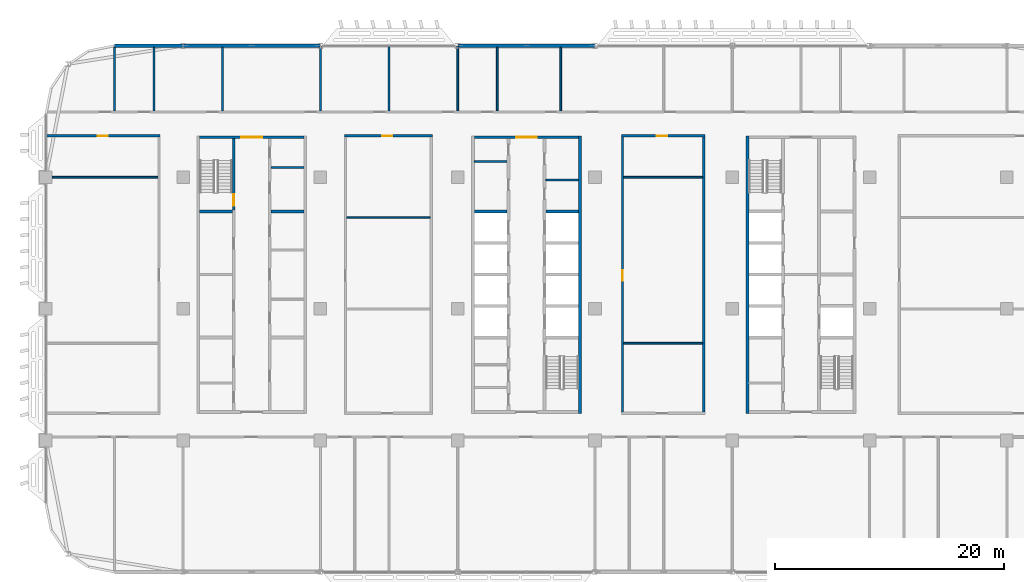
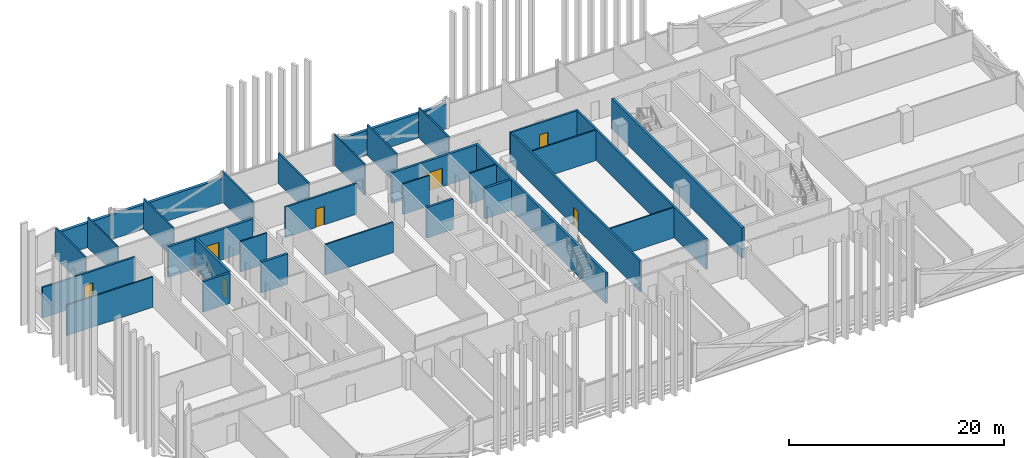
# One storey, part 15 of 30: 32 walls, 7 doors, 7 openings.
"""IFC4 building model written with IfcOpenShell, lengths in metres."""

from ifc_helpers import new_model, si_unit, direction, frame, frame_2d, origin, place, context, subcontext, project, spatial, rectangle, extrude, material, layer, layer_set, type_object, element, fill, save


model = new_model("IFC4")

# Units and contexts
model_context = context("Model", 3, precision=1e-05, world=origin(), true_north=direction((0.0, 1.0)))
body_context = subcontext(model_context, "Body", "Model", "MODEL_VIEW")
ifc_project = project(units=[si_unit("LENGTHUNIT", "METRE"), si_unit("AREAUNIT", "SQUARE_METRE"), si_unit("VOLUMEUNIT", "CUBIC_METRE"), si_unit("PLANEANGLEUNIT", "RADIAN"), si_unit("MASSUNIT", "GRAM", prefix="KILO")], contexts=[model_context])

# Site, building, storey
site_placement = place(None, origin())
site = spatial("IfcSite", under=ifc_project, at=site_placement, CompositionType="ELEMENT")
building_placement = place(site_placement, origin())
building = spatial("IfcBuilding", under=site, at=building_placement, Name="Mahtab Terrace Research Tower", CompositionType="ELEMENT")
storey_placement = place(building_placement, frame((0.0, 0.0, 209.10009765625)))
storey = spatial("IfcBuildingStorey", under=building, at=storey_placement, Name="L50", CompositionType="ELEMENT", Elevation=209.10009765625)

# Walls
ifc_material_1 = material(Name="Gypsum board partition")
ifc_layer_1 = layer(ifc_material_1, 0.14990234375)
ifc_layer_set_1 = layer_set([ifc_layer_1], Name="Core partition 150")
wall_type_1 = type_object("IfcWallType", Name="Core partition 150", PredefinedType="PARTITIONING", material=ifc_layer_set_1)
for number, where, z_axis, x_axis, name in (
    (1, (-22.300048828125, 12.35498046875, 0.0), (0.0, 0.0, 1.0), (1.0, 0.0, 0.0), "Core wall A pEN936"),
    (2, (-4.550048828125, 12.875, 0.0), (0.0, 0.0, 1.0), (1.0, 0.0, 0.0), "Core wall B pWN988"),
    (3, (1.699951171875, 11.27490234375, 0.0), (0.0, 0.0, 1.0), (1.0, 0.0, 0.0), "Core wall B pEN828"),
):
    element("IfcWall", number, at=place(storey_placement, frame(where, z_axis=z_axis, x_axis=x_axis)), inside=storey, type_object=wall_type_1, Name=name, PredefinedType="PARTITIONING", context=body_context, shape_type="SweptSolid", body=[
        extrude(rectangle(XDim=2.85009765625, YDim=0.14990234375, at=frame_2d((1.425048828125, 0.0))), origin(), (0.0, 0.0, 1.0), 3.4599609375),
    ])

# Wall, opening, door
ifc_material_2 = material(Name="Concrete C70/85", Category="concrete")
ifc_layer_2 = layer(ifc_material_2, 0.25)
ifc_layer_set_2 = layer_set([ifc_layer_2], Name="Core wall 250")
wall_type_2 = type_object("IfcWallType", Name="Core wall 250", PredefinedType="SOLIDWALL", material=ifc_layer_set_2)
wall_1_placement = place(storey_placement, frame((-28.550048828125, 15.0, 0.0), z_axis=(0.0, 0.0, 1.0), x_axis=(1.0, 0.0, 0.0)))
wall_1 = element("IfcWall", 4, at=wall_1_placement, inside=storey, type_object=wall_type_2, Name="Core wall A endN", PredefinedType="SOLIDWALL", context=body_context, shape_type="SweptSolid", body=[
    extrude(rectangle(XDim=9.10009765625, YDim=0.25, at=frame_2d((4.550048828125, 0.0))), origin(), (0.0, 0.0, 1.0), 3.4599609375),
])
opening_1_placement = place(wall_1_placement, frame((3.64990234375, 0.0, 0.0)))
opening_1 = element("IfcOpeningElement", 5, at=opening_1_placement, cuts=wall_1, Name="Opening A-N1", PredefinedType="OPENING", context=body_context, shape_type="SweptSolid", body=[
    extrude(rectangle(XDim=1.800048828125, YDim=2.10009765625, at=frame_2d((0.89990234375, 1.050048828125))), frame((0.0, 0.135009765625, 0.0), z_axis=(0.0, -1.0, 0.0), x_axis=(1.0, 0.0, 0.0)), (0.0, 0.0, 1.0), 0.27001953125),
])
ifc_material_3 = material(Name="Steel fire door", Category="steel")
door_type_1 = type_object("IfcDoorType", Name="Lobby double door 1800x2100 1 HR", OperationType="DOUBLE_DOOR_SINGLE_SWING", PredefinedType="DOOR", material=ifc_material_3)
door_1_placement = place(opening_1_placement, origin())
door_1 = element("IfcDoor", 6, at=door_1_placement, inside=storey, type_object=door_type_1, Name="Core entrance door A N", OperationType="DOUBLE_DOOR_SINGLE_SWING", OverallHeight=2.10009765625, OverallWidth=1.800048828125, PredefinedType="DOOR", context=body_context, shape_type="SweptSolid", body=[
    extrude(rectangle(XDim=1.800048828125, YDim=2.10009765625, at=frame_2d((0.89990234375, 1.050048828125))), frame((0.0, 0.02490234375, 0.0), z_axis=(0.0, -1.0, 0.0), x_axis=(1.0, 0.0, 0.0)), (0.0, 0.0, 1.0), 0.050048828125),
])
fill(opening_1, door_1)

wall_2_placement = place(storey_placement, frame((-25.574951171875, 14.875, 0.0), z_axis=(0.0, 0.0, 1.0), x_axis=(0.0, -1.0, 0.0)))
wall_2 = element("IfcWall", 7, at=wall_2_placement, inside=storey, type_object=wall_type_2, Name="Core wall A innerWN", PredefinedType="SOLIDWALL", context=body_context, shape_type="SweptSolid", body=[
    extrude(rectangle(XDim=6.25, YDim=0.25, at=frame_2d((3.125, 0.0))), origin(), (0.0, 0.0, 1.0), 3.4599609375),
])
opening_2_placement = place(wall_2_placement, frame((4.85009765625, 0.0, 0.0)))
opening_2 = element("IfcOpeningElement", 8, at=opening_2_placement, cuts=wall_2, Name="Opening A-ST1", PredefinedType="OPENING", context=body_context, shape_type="SweptSolid", body=[
    extrude(rectangle(XDim=1.0, YDim=2.10009765625, at=frame_2d((0.5, 1.050048828125))), frame((0.0, 0.135009765625, 0.0), z_axis=(0.0, -1.0, 0.0), x_axis=(1.0, 0.0, 0.0)), (0.0, 0.0, 1.0), 0.27001953125),
])
door_type_2 = type_object("IfcDoorType", Name="Stair door 1000x2100 1.5 HR", OperationType="NOTDEFINED", PredefinedType="DOOR", material=ifc_material_3)
door_2_placement = place(opening_2_placement, origin())
door_2 = element("IfcDoor", 9, at=door_2_placement, inside=storey, type_object=door_type_2, Name="Stair door ST1 L50", OperationType="SINGLE_SWING_LEFT", OverallHeight=2.10009765625, OverallWidth=1.0, PredefinedType="DOOR", context=body_context, shape_type="SweptSolid", body=[
    extrude(rectangle(XDim=1.0, YDim=2.10009765625, at=frame_2d((0.5, 1.050048828125))), frame((0.0, 0.02490234375, 0.0), z_axis=(0.0, -1.0, 0.0), x_axis=(1.0, 0.0, 0.0)), (0.0, 0.0, 1.0), 0.050048828125),
])
fill(opening_2, door_2)

# Walls
for number, where, z_axis, x_axis, name in (
    (10, (-28.550048828125, 8.5, 0.0), (0.0, 0.0, 1.0), (1.0, 0.0, 0.0), "Core wall A divW4"),
    (11, (-22.300048828125, 8.5, 0.0), (0.0, 0.0, 1.0), (1.0, 0.0, 0.0), "Core wall A divE4"),
):
    element("IfcWall", number, at=place(storey_placement, frame(where, z_axis=z_axis, x_axis=x_axis)), inside=storey, type_object=wall_type_2, Name=name, PredefinedType="SOLIDWALL", context=body_context, shape_type="SweptSolid", body=[
        extrude(rectangle(XDim=2.85009765625, YDim=0.25, at=frame_2d((1.425048828125, 0.0))), origin(), (0.0, 0.0, 1.0), 3.4599609375),
    ])
wall_3_placement = place(storey_placement, frame((4.675048828125, -9.125, 0.0), z_axis=(0.0, 0.0, 1.0), x_axis=(0.0, 1.0, 0.0)))
element("IfcWall", 12, at=wall_3_placement, inside=storey, type_object=wall_type_2, Name="Core wall B outerE", PredefinedType="SOLIDWALL", context=body_context, shape_type="SweptSolid", body=[
    extrude(rectangle(XDim=24.25, YDim=0.25, at=frame_2d((12.125, 0.0))), origin(), (0.0, 0.0, 1.0), 3.4599609375),
])

# Wall, opening, door
wall_4_placement = place(storey_placement, frame((-4.550048828125, 15.0, 0.0), z_axis=(0.0, 0.0, 1.0), x_axis=(1.0, 0.0, 0.0)))
wall_4 = element("IfcWall", 13, at=wall_4_placement, inside=storey, type_object=wall_type_2, Name="Core wall B endN", PredefinedType="SOLIDWALL", context=body_context, shape_type="SweptSolid", body=[
    extrude(rectangle(XDim=9.10009765625, YDim=0.25, at=frame_2d((4.550048828125, 0.0))), origin(), (0.0, 0.0, 1.0), 3.4599609375),
])
opening_3_placement = place(wall_4_placement, frame((3.64990234375, 0.0, 0.0)))
opening_3 = element("IfcOpeningElement", 14, at=opening_3_placement, cuts=wall_4, Name="Opening B-N1", PredefinedType="OPENING", context=body_context, shape_type="SweptSolid", body=[
    extrude(rectangle(XDim=1.800048828125, YDim=2.10009765625, at=frame_2d((0.89990234375, 1.050048828125))), frame((0.0, 0.135009765625, 0.0), z_axis=(0.0, -1.0, 0.0), x_axis=(1.0, 0.0, 0.0)), (0.0, 0.0, 1.0), 0.27001953125),
])
door_3_placement = place(opening_3_placement, origin())
door_3 = element("IfcDoor", 15, at=door_3_placement, inside=storey, type_object=door_type_1, Name="Core entrance door B N", OperationType="DOUBLE_DOOR_SINGLE_SWING", OverallHeight=2.10009765625, OverallWidth=1.800048828125, PredefinedType="DOOR", context=body_context, shape_type="SweptSolid", body=[
    extrude(rectangle(XDim=1.800048828125, YDim=2.10009765625, at=frame_2d((0.89990234375, 1.050048828125))), frame((0.0, 0.02490234375, 0.0), z_axis=(0.0, -1.0, 0.0), x_axis=(1.0, 0.0, 0.0)), (0.0, 0.0, 1.0), 0.050048828125),
])
fill(opening_3, door_3)

# Walls
for number, where, z_axis, x_axis, name in (
    (16, (-4.550048828125, 8.5, 0.0), (0.0, 0.0, 1.0), (1.0, 0.0, 0.0), "Core wall B divW4"),
    (17, (1.699951171875, 8.5, 0.0), (0.0, 0.0, 1.0), (1.0, 0.0, 0.0), "Core wall B divE4"),
):
    element("IfcWall", number, at=place(storey_placement, frame(where, z_axis=z_axis, x_axis=x_axis)), inside=storey, type_object=wall_type_2, Name=name, PredefinedType="SOLIDWALL", context=body_context, shape_type="SweptSolid", body=[
        extrude(rectangle(XDim=2.85009765625, YDim=0.25, at=frame_2d((1.425048828125, 0.0))), origin(), (0.0, 0.0, 1.0), 3.4599609375),
    ])
wall_5_placement = place(storey_placement, frame((19.324951171875, 15.125, 0.0), z_axis=(0.0, 0.0, 1.0), x_axis=(0.0, -1.0, 0.0)))
element("IfcWall", 18, at=wall_5_placement, inside=storey, type_object=wall_type_2, Name="Core wall C outerW", PredefinedType="SOLIDWALL", context=body_context, shape_type="SweptSolid", body=[
    extrude(rectangle(XDim=24.25, YDim=0.25, at=frame_2d((12.125, 0.0))), origin(), (0.0, 0.0, 1.0), 3.4599609375),
])
ifc_material_4 = material(Name="Black aluminium cladding panel", Category="aluminium")
ifc_layer_3 = layer(ifc_material_4, 0.300048828125)
ifc_layer_set_3 = layer_set([ifc_layer_3], Name="Opaque facade wall 300")
wall_type_3 = type_object("IfcWallType", Name="Opaque facade wall 300", PredefinedType="NOTDEFINED", material=ifc_layer_set_3)
for number, where, z_axis, x_axis, name in (
    (19, (5.987548828125, 23.0, 0.0), (0.0, 0.0, 1.0), (-1.0, 0.0, 0.0), "Opaque facade wall L50 N7"),
    (20, (-18.012451171875, 23.0, 0.0), (0.0, 0.0, 1.0), (-1.0, 0.0, 0.0), "Opaque facade wall L50 N9"),
):
    element("IfcWall", number, at=place(storey_placement, frame(where, z_axis=z_axis, x_axis=x_axis)), inside=storey, type_object=wall_type_3, Name=name, PredefinedType="NOTDEFINED", context=body_context, shape_type="SweptSolid", body=[
        extrude(rectangle(XDim=11.97509765625, YDim=0.300048828125, at=frame_2d((5.987548828125, 0.0))), origin(), (0.0, 0.0, 1.0), 2.78173828125),
    ])
wall_6_placement = place(storey_placement, frame((-30.012451171875, 23.0, 0.0), z_axis=(0.0, 0.0, 1.0), x_axis=(-1.0, 0.0, 0.0)))
element("IfcWall", 21, at=wall_6_placement, inside=storey, type_object=wall_type_3, Name="Opaque facade wall L50 N10", PredefinedType="NOTDEFINED", context=body_context, shape_type="SweptSolid", body=[
    extrude(rectangle(XDim=5.987548828125, YDim=0.300048828125, at=frame_2d((2.99365234375, 0.0))), origin(), (0.0, 0.0, 1.0), 2.78173828125),
])

# Wall, opening, door
ifc_material_5 = material(Name="Gypsum board corridor wall on steel studs", Category="steel")
ifc_layer_4 = layer(ifc_material_5, 0.199951171875)
ifc_layer_set_4 = layer_set([ifc_layer_4], Name="WALL CORRIDOR 200")
wall_type_4 = type_object("IfcWallType", Name="WALL CORRIDOR 200", PredefinedType="PARTITIONING", material=ifc_layer_set_4)
wall_7_placement = place(storey_placement, frame((-41.97509765625, 15.125, 0.0), z_axis=(0.0, 0.0, 1.0), x_axis=(1.0, 0.0, 0.0)))
wall_7 = element("IfcWall", 22, at=wall_7_placement, inside=storey, type_object=wall_type_4, Name="L50-W022", PredefinedType="PARTITIONING", context=body_context, shape_type="SweptSolid", body=[
    extrude(rectangle(XDim=9.97509765625, YDim=0.199951171875, at=frame_2d((4.987548828125, 0.0))), origin(), (0.0, 0.0, 1.0), 3.4599609375),
])
opening_4_placement = place(wall_7_placement, frame((4.5, 0.0, 0.0)))
opening_4 = element("IfcOpeningElement", 23, at=opening_4_placement, cuts=wall_7, Name="Opening L50-126", PredefinedType="OPENING", context=body_context, shape_type="SweptSolid", body=[
    extrude(rectangle(XDim=0.89990234375, YDim=2.10009765625, at=frame_2d((0.449951171875, 1.050048828125))), frame((0.0, 0.10986328125, 0.0), z_axis=(0.0, -1.0, 0.0), x_axis=(1.0, 0.0, 0.0)), (0.0, 0.0, 1.0), 0.219970703125),
])
ifc_material_6 = material(Name="Timber door leaf in steel frame", Category="steel")
door_type_3 = type_object("IfcDoorType", Name="DOOR 0900X2100 FD30S", OperationType="SINGLE_SWING_LEFT", PredefinedType="DOOR", material=ifc_material_6)
door_4_placement = place(opening_4_placement, origin())
door_4 = element("IfcDoor", 24, at=door_4_placement, inside=storey, type_object=door_type_3, Name="Door L50-126", OperationType="SINGLE_SWING_LEFT", OverallHeight=2.10009765625, OverallWidth=0.89990234375, PredefinedType="DOOR", context=body_context, shape_type="SweptSolid", body=[
    extrude(rectangle(XDim=0.89990234375, YDim=2.10009765625, at=frame_2d((0.449951171875, 1.050048828125))), frame((0.0, 0.02490234375, 0.0), z_axis=(0.0, -1.0, 0.0), x_axis=(1.0, 0.0, 0.0)), (0.0, 0.0, 1.0), 0.050048828125),
])
fill(opening_4, door_4)

wall_8_placement = place(storey_placement, frame((-15.89990234375, 15.125, 0.0), z_axis=(0.0, 0.0, 1.0), x_axis=(1.0, 0.0, 0.0)))
wall_8 = element("IfcWall", 25, at=wall_8_placement, inside=storey, type_object=wall_type_4, Name="L50-W023", PredefinedType="PARTITIONING", context=body_context, shape_type="SweptSolid", body=[
    extrude(rectangle(XDim=7.699951171875, YDim=0.199951171875, at=frame_2d((3.85009765625, 0.0))), origin(), (0.0, 0.0, 1.0), 3.4599609375),
])
opening_5_placement = place(wall_8_placement, frame((3.300048828125, 0.0, 0.0)))
opening_5 = element("IfcOpeningElement", 26, at=opening_5_placement, cuts=wall_8, Name="Opening L50-124", PredefinedType="OPENING", context=body_context, shape_type="SweptSolid", body=[
    extrude(rectangle(XDim=0.89990234375, YDim=2.10009765625, at=frame_2d((0.449951171875, 1.050048828125))), frame((0.0, 0.10986328125, 0.0), z_axis=(0.0, -1.0, 0.0), x_axis=(1.0, 0.0, 0.0)), (0.0, 0.0, 1.0), 0.219970703125),
])
door_5_placement = place(opening_5_placement, origin())
door_5 = element("IfcDoor", 27, at=door_5_placement, inside=storey, type_object=door_type_3, Name="Door L50-124", OperationType="SINGLE_SWING_RIGHT", OverallHeight=2.10009765625, OverallWidth=0.89990234375, PredefinedType="DOOR", context=body_context, shape_type="SweptSolid", body=[
    extrude(rectangle(XDim=0.89990234375, YDim=2.10009765625, at=frame_2d((0.449951171875, 1.050048828125))), frame((0.0, 0.02490234375, 0.0), z_axis=(0.0, -1.0, 0.0), x_axis=(1.0, 0.0, 0.0)), (0.0, 0.0, 1.0), 0.050048828125),
])
fill(opening_5, door_5)

wall_9_placement = place(storey_placement, frame((8.300048828125, 15.125, 0.0), z_axis=(0.0, 0.0, 1.0), x_axis=(1.0, 0.0, 0.0)))
wall_9 = element("IfcWall", 28, at=wall_9_placement, inside=storey, type_object=wall_type_4, Name="L50-W024", PredefinedType="PARTITIONING", context=body_context, shape_type="SweptSolid", body=[
    extrude(rectangle(XDim=7.300048828125, YDim=0.199951171875, at=frame_2d((3.64990234375, 0.0))), origin(), (0.0, 0.0, 1.0), 3.4599609375),
])
opening_6_placement = place(wall_9_placement, frame((3.10009765625, 0.0, 0.0)))
opening_6 = element("IfcOpeningElement", 29, at=opening_6_placement, cuts=wall_9, Name="Opening L50-127", PredefinedType="OPENING", context=body_context, shape_type="SweptSolid", body=[
    extrude(rectangle(XDim=0.89990234375, YDim=2.10009765625, at=frame_2d((0.449951171875, 1.050048828125))), frame((0.0, 0.10986328125, 0.0), z_axis=(0.0, -1.0, 0.0), x_axis=(1.0, 0.0, 0.0)), (0.0, 0.0, 1.0), 0.219970703125),
])
door_6_placement = place(opening_6_placement, origin())
door_6 = element("IfcDoor", 30, at=door_6_placement, inside=storey, type_object=door_type_3, Name="Door L50-127", OperationType="SINGLE_SWING_RIGHT", OverallHeight=2.10009765625, OverallWidth=0.89990234375, PredefinedType="DOOR", context=body_context, shape_type="SweptSolid", body=[
    extrude(rectangle(XDim=0.89990234375, YDim=2.10009765625, at=frame_2d((0.449951171875, 1.050048828125))), frame((0.0, 0.02490234375, 0.0), z_axis=(0.0, -1.0, 0.0), x_axis=(1.0, 0.0, 0.0)), (0.0, 0.0, 1.0), 0.050048828125),
])
fill(opening_6, door_6)

wall_10_placement = place(storey_placement, frame((8.39990234375, -9.02490234375, 0.0), z_axis=(0.0, 0.0, 1.0), x_axis=(0.0, 1.0, 0.0)))
wall_10 = element("IfcWall", 31, at=wall_10_placement, inside=storey, type_object=wall_type_4, Name="L50-W045", PredefinedType="PARTITIONING", context=body_context, shape_type="SweptSolid", body=[
    extrude(rectangle(XDim=24.0498046875, YDim=0.199951171875, at=frame_2d((12.02490234375, 0.0))), origin(), (0.0, 0.0, 1.0), 3.4599609375),
])
opening_7_placement = place(wall_10_placement, frame((11.5, 0.0, 0.0)))
opening_7 = element("IfcOpeningElement", 32, at=opening_7_placement, cuts=wall_10, Name="Opening L50-122", PredefinedType="OPENING", context=body_context, shape_type="SweptSolid", body=[
    extrude(rectangle(XDim=0.89990234375, YDim=2.10009765625, at=frame_2d((0.449951171875, 1.050048828125))), frame((0.0, 0.10986328125, 0.0), z_axis=(0.0, -1.0, 0.0), x_axis=(1.0, 0.0, 0.0)), (0.0, 0.0, 1.0), 0.219970703125),
])
door_7_placement = place(opening_7_placement, origin())
door_7 = element("IfcDoor", 33, at=door_7_placement, inside=storey, type_object=door_type_3, Name="Door L50-122", OperationType="SINGLE_SWING_RIGHT", OverallHeight=2.10009765625, OverallWidth=0.89990234375, PredefinedType="DOOR", context=body_context, shape_type="SweptSolid", body=[
    extrude(rectangle(XDim=0.89990234375, YDim=2.10009765625, at=frame_2d((0.449951171875, 1.050048828125))), frame((0.0, 0.02490234375, 0.0), z_axis=(0.0, -1.0, 0.0), x_axis=(1.0, 0.0, 0.0)), (0.0, 0.0, 1.0), 0.050048828125),
])
fill(opening_7, door_7)

# Walls
wall_11_placement = place(storey_placement, frame((15.5, -9.02490234375, 0.0), z_axis=(0.0, 0.0, 1.0), x_axis=(0.0, 1.0, 0.0)))
element("IfcWall", 34, at=wall_11_placement, inside=storey, type_object=wall_type_4, Name="L50-W049", PredefinedType="PARTITIONING", context=body_context, shape_type="SweptSolid", body=[
    extrude(rectangle(XDim=24.0498046875, YDim=0.199951171875, at=frame_2d((12.02490234375, 0.0))), origin(), (0.0, 0.0, 1.0), 3.4599609375),
])
ifc_material_7 = material(Name="Gypsum board partition on steel studs", Category="steel")
ifc_layer_5 = layer(ifc_material_7, 0.14990234375)
ifc_layer_set_5 = layer_set([ifc_layer_5], Name="WALL PARTITION 150")
wall_type_5 = type_object("IfcWallType", Name="WALL PARTITION 150", PredefinedType="PARTITIONING", material=ifc_layer_set_5)
wall_12_placement = place(storey_placement, frame((8.5, -3.0, 0.0), z_axis=(0.0, 0.0, 1.0), x_axis=(1.0, 0.0, 0.0)))
element("IfcWall", 35, at=wall_12_placement, inside=storey, type_object=wall_type_5, Name="L50-W014", PredefinedType="PARTITIONING", context=body_context, shape_type="SweptSolid", body=[
    extrude(rectangle(XDim=6.89990234375, YDim=0.14990234375, at=frame_2d((3.449951171875, 0.0))), origin(), (0.0, 0.0, 1.0), 3.4599609375),
])
wall_13_placement = place(storey_placement, frame((-15.699951171875, 8.0, 0.0), z_axis=(0.0, 0.0, 1.0), x_axis=(1.0, 0.0, 0.0)))
element("IfcWall", 36, at=wall_13_placement, inside=storey, type_object=wall_type_5, Name="L50-W018", PredefinedType="PARTITIONING", context=body_context, shape_type="SweptSolid", body=[
    extrude(rectangle(XDim=7.300048828125, YDim=0.14990234375, at=frame_2d((3.64990234375, 0.0))), origin(), (0.0, 0.0, 1.0), 3.4599609375),
])
wall_14_placement = place(storey_placement, frame((-41.449951171875, 11.5, 0.0), z_axis=(0.0, 0.0, 1.0), x_axis=(1.0, 0.0, 0.0)))
element("IfcWall", 37, at=wall_14_placement, inside=storey, type_object=wall_type_5, Name="L50-W020", PredefinedType="PARTITIONING", context=body_context, shape_type="SweptSolid", body=[
    extrude(rectangle(XDim=9.25, YDim=0.14990234375, at=frame_2d((4.625, 0.0))), origin(), (0.0, 0.0, 1.0), 3.4599609375),
])
wall_15_placement = place(storey_placement, frame((8.5, 11.5, 0.0), z_axis=(0.0, 0.0, 1.0), x_axis=(1.0, 0.0, 0.0)))
element("IfcWall", 38, at=wall_15_placement, inside=storey, type_object=wall_type_5, Name="L50-W021", PredefinedType="PARTITIONING", context=body_context, shape_type="SweptSolid", body=[
    extrude(rectangle(XDim=6.89990234375, YDim=0.14990234375, at=frame_2d((3.449951171875, 0.0))), origin(), (0.0, 0.0, 1.0), 3.4599609375),
])
wall_16_placement = place(storey_placement, frame((-36.0, 17.300048828125, 0.0), z_axis=(0.0, 0.0, 1.0), x_axis=(0.0, 1.0, 0.0)))
element("IfcWall", 39, at=wall_16_placement, inside=storey, type_object=wall_type_5, Name="L50-W028", PredefinedType="PARTITIONING", context=body_context, shape_type="SweptSolid", body=[
    extrude(rectangle(XDim=5.547119140625, YDim=0.14990234375, at=frame_2d((2.7734375, 0.0))), origin(), (0.0, 0.0, 1.0), 3.4599609375),
])
for number, where, z_axis, x_axis, name in (
    (40, (-32.550048828125, 17.300048828125, 0.0), (0.0, 0.0, 1.0), (0.0, 1.0, 0.0), "L50-W029"),
    (41, (-26.550048828125, 17.300048828125, 0.0), (0.0, 0.0, 1.0), (0.0, 1.0, 0.0), "L50-W032"),
):
    element("IfcWall", number, at=place(storey_placement, frame(where, z_axis=z_axis, x_axis=x_axis)), inside=storey, type_object=wall_type_5, Name=name, PredefinedType="PARTITIONING", context=body_context, shape_type="SweptSolid", body=[
        extrude(rectangle(XDim=5.550048828125, YDim=0.14990234375, at=frame_2d((2.77490234375, 0.0))), origin(), (0.0, 0.0, 1.0), 3.4599609375),
    ])
for number, where, z_axis, x_axis, name in (
    (42, (-18.0, 17.300048828125, 0.0), (0.0, 0.0, 1.0), (0.0, 1.0, 0.0), "L50-W034"),
    (43, (-12.0, 17.300048828125, 0.0), (0.0, 0.0, 1.0), (0.0, 1.0, 0.0), "L50-W038"),
    (44, (-6.0, 17.300048828125, 0.0), (0.0, 0.0, 1.0), (0.0, 1.0, 0.0), "L50-W041"),
):
    element("IfcWall", number, at=place(storey_placement, frame(where, z_axis=z_axis, x_axis=x_axis)), inside=storey, type_object=wall_type_5, Name=name, PredefinedType="PARTITIONING", context=body_context, shape_type="SweptSolid", body=[
        extrude(rectangle(XDim=5.675048828125, YDim=0.14990234375, at=frame_2d((2.83740234375, 0.0))), origin(), (0.0, 0.0, 1.0), 3.4599609375),
    ])
for number, where, z_axis, x_axis, name in (
    (45, (-2.550048828125, 17.300048828125, 0.0), (0.0, 0.0, 1.0), (0.0, 1.0, 0.0), "L50-W042"),
    (46, (3.0, 17.300048828125, 0.0), (0.0, 0.0, 1.0), (0.0, 1.0, 0.0), "L50-W043"),
):
    element("IfcWall", number, at=place(storey_placement, frame(where, z_axis=z_axis, x_axis=x_axis)), inside=storey, type_object=wall_type_5, Name=name, PredefinedType="PARTITIONING", context=body_context, shape_type="SweptSolid", body=[
        extrude(rectangle(XDim=5.550048828125, YDim=0.14990234375, at=frame_2d((2.77490234375, 0.0))), origin(), (0.0, 0.0, 1.0), 3.4599609375),
    ])

save(model, "model.ifc")
